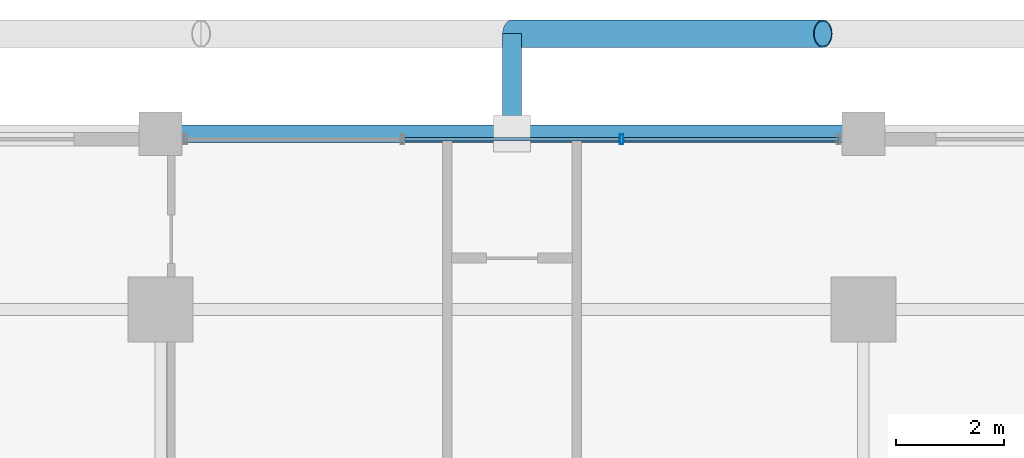
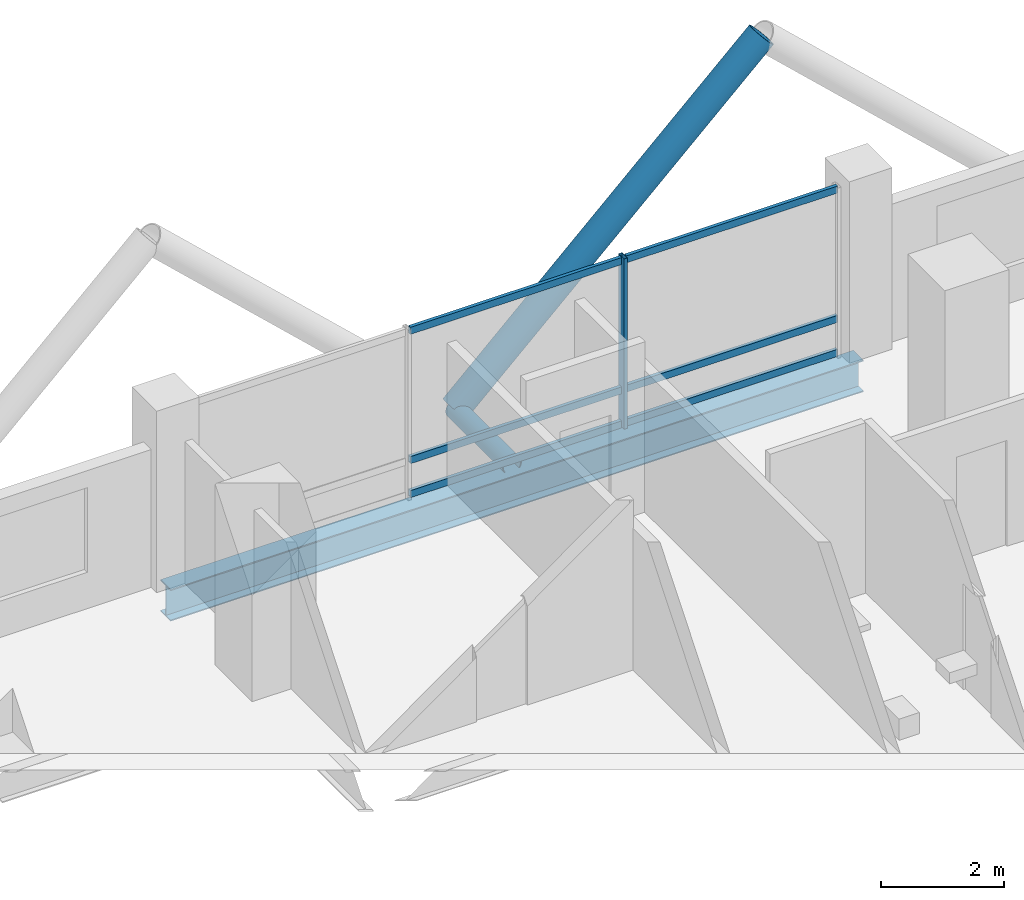
# One storey, part 15 of 25: 9 members, 1 beam, 1 element without a shape of its own.
"""IFC4 building model written with IfcOpenShell, lengths in metres."""

from ifc_helpers import new_model, si_unit, direction, frame, origin, origin_2d, place, context, subcontext, project, spatial, hollow_rectangle, hollow_circle, i_section, extrude, material, layer, layer_set, material_profile, profile_set, type_object, element, aggregate, save


model = new_model("IFC4")

# Units and contexts
model_context = context("Model", 3, precision=1e-05, world=origin(), true_north=direction((0.0, 1.0)))
body_context = subcontext(model_context, "Body", "Model", "MODEL_VIEW")
ifc_project = project(units=[si_unit("LENGTHUNIT", "METRE"), si_unit("AREAUNIT", "SQUARE_METRE"), si_unit("VOLUMEUNIT", "CUBIC_METRE"), si_unit("PLANEANGLEUNIT", "RADIAN"), si_unit("MASSUNIT", "GRAM", prefix="KILO")], contexts=[model_context])

# Site, building, storey
site_placement = place(None, origin())
site = spatial("IfcSite", under=ifc_project, at=site_placement, CompositionType="ELEMENT")
building_placement = place(site_placement, origin())
building = spatial("IfcBuilding", under=site, at=building_placement, Name="Barlavira Tower and Art Museum", CompositionType="ELEMENT")
storey_placement = place(building_placement, frame((0.0, 0.0, 144.0)))
storey = spatial("IfcBuildingStorey", under=building, at=storey_placement, Name="L36", CompositionType="ELEMENT", Elevation=144.0)

# Curtain wall, members
ifc_material_1 = material(Name="Low-iron coastal laminated glass", Category="glass")
ifc_layer = layer(ifc_material_1, 0.18994140625, Name="Low-iron coastal laminated glass")
ifc_layer_set = layer_set([ifc_layer], Name="Low-iron coastal laminated glass")
curtain_wall_type = type_object("IfcCurtainWallType", Name="Pale-Metal Unitised Curtain Wall Zone 2", PredefinedType="NOTDEFINED", material=ifc_layer_set)
curtain_wall_placement = place(storey_placement, origin())
curtain_wall = element("IfcCurtainWall", 1, at=curtain_wall_placement, inside=storey, type_object=curtain_wall_type, Name="L36 Curtain Wall CW2-L36-N-B3", PredefinedType="NOTDEFINED")
ifc_material_2 = material(Name="Pale anodised aluminium", Category="aluminium")
ifc_material_profile_1 = material_profile(ifc_material_2, hollow_rectangle(XDim=0.06494140625, YDim=0.179931640625, WallThickness=0.00390625, at=origin_2d()), Name="ALU-MULL 65x180x4")
ifc_profile_set_1 = profile_set([ifc_material_profile_1], Name="Pale anodised aluminium")
member_type_1 = type_object("IfcMemberType", Name="Curtain Wall Pale-Metal Mullion 65x180", PredefinedType="MULLION", material=ifc_profile_set_1)
member_1_placement = place(storey_placement, frame((2.026611328125, 23.14990234375, 0.0), z_axis=(0.0, 0.0, 1.0), x_axis=(-1.0, 0.0, 0.0)))
member_1 = element("IfcMember", 2, at=member_1_placement, type_object=member_type_1, Name="CW2-L36-N-B3 Mullion 1", PredefinedType="MULLION", context=body_context, shape_type="SweptSolid", body=[
    extrude(hollow_rectangle(XDim=0.06494140625, YDim=0.179931640625, WallThickness=0.00390625, at=origin_2d()), origin(), (0.0, 0.0, 1.0), 3.3798828125),
])
ifc_material_profile_2 = material_profile(ifc_material_2, hollow_rectangle(XDim=0.06494140625, YDim=0.139892578125, WallThickness=0.00390625, at=origin_2d()), Name="ALU-TRAN 65x140x4")
ifc_profile_set_2 = profile_set([ifc_material_profile_2], Name="Pale anodised aluminium")
member_type_2 = type_object("IfcMemberType", Name="Curtain Wall Pale-Metal Transom 65x140", PredefinedType="USERDEFINED", material=ifc_profile_set_2)
member_2_placement = place(storey_placement, frame((6.034912109375, 23.14990234375, 0.070068359375), z_axis=(-1.0, 0.0, 0.0), x_axis=(0.0, -1.0, 0.0)))
member_2 = element("IfcMember", 3, at=member_2_placement, type_object=member_type_2, Name="CW2-L36-N-B3 Transom 0.1", ObjectType="TRANSOM", PredefinedType="USERDEFINED", context=body_context, shape_type="SweptSolid", body=[
    extrude(hollow_rectangle(XDim=0.06494140625, YDim=0.139892578125, WallThickness=0.00390625, at=origin_2d()), origin(), (0.0, 0.0, 1.0), 3.963134765625),
])
member_3_placement = place(storey_placement, frame((6.034912109375, 23.14990234375, 0.743896484375), z_axis=(-1.0, 0.0, 0.0), x_axis=(0.0, -1.0, 0.0)))
member_3 = element("IfcMember", 4, at=member_3_placement, type_object=member_type_2, Name="CW2-L36-N-B3 Transom 0.2", ObjectType="TRANSOM", PredefinedType="USERDEFINED", context=body_context, shape_type="SweptSolid", body=[
    extrude(hollow_rectangle(XDim=0.06494140625, YDim=0.139892578125, WallThickness=0.00390625, at=origin_2d()), origin(), (0.0, 0.0, 1.0), 3.963134765625),
])
member_4_placement = place(storey_placement, frame((6.034912109375, 23.14990234375, 3.31005859375), z_axis=(-1.0, 0.0, 0.0), x_axis=(0.0, -1.0, 0.0)))
member_4 = element("IfcMember", 5, at=member_4_placement, type_object=member_type_2, Name="CW2-L36-N-B3 Transom 0.3", ObjectType="TRANSOM", PredefinedType="USERDEFINED", context=body_context, shape_type="SweptSolid", body=[
    extrude(hollow_rectangle(XDim=0.06494140625, YDim=0.139892578125, WallThickness=0.00390625, at=origin_2d()), origin(), (0.0, 0.0, 1.0), 3.963134765625),
])
member_5_placement = place(storey_placement, frame((1.981689453125, 23.14990234375, 0.070068359375), z_axis=(-1.0, 0.0, 0.0), x_axis=(0.0, -1.0, 0.0)))
member_5 = element("IfcMember", 6, at=member_5_placement, type_object=member_type_2, Name="CW2-L36-N-B3 Transom 1.1", ObjectType="TRANSOM", PredefinedType="USERDEFINED", context=body_context, shape_type="SweptSolid", body=[
    extrude(hollow_rectangle(XDim=0.06494140625, YDim=0.139892578125, WallThickness=0.00390625, at=origin_2d()), origin(), (0.0, 0.0, 1.0), 3.96337890625),
])
member_6_placement = place(storey_placement, frame((1.981689453125, 23.14990234375, 0.743896484375), z_axis=(-1.0, 0.0, 0.0), x_axis=(0.0, -1.0, 0.0)))
member_6 = element("IfcMember", 7, at=member_6_placement, type_object=member_type_2, Name="CW2-L36-N-B3 Transom 1.2", ObjectType="TRANSOM", PredefinedType="USERDEFINED", context=body_context, shape_type="SweptSolid", body=[
    extrude(hollow_rectangle(XDim=0.06494140625, YDim=0.139892578125, WallThickness=0.00390625, at=origin_2d()), origin(), (0.0, 0.0, 1.0), 3.96337890625),
])
member_7_placement = place(storey_placement, frame((1.981689453125, 23.14990234375, 3.31005859375), z_axis=(-1.0, 0.0, 0.0), x_axis=(0.0, -1.0, 0.0)))
member_7 = element("IfcMember", 8, at=member_7_placement, type_object=member_type_2, Name="CW2-L36-N-B3 Transom 1.3", ObjectType="TRANSOM", PredefinedType="USERDEFINED", context=body_context, shape_type="SweptSolid", body=[
    extrude(hollow_rectangle(XDim=0.06494140625, YDim=0.139892578125, WallThickness=0.00390625, at=origin_2d()), origin(), (0.0, 0.0, 1.0), 3.96337890625),
])
aggregate(curtain_wall, [member_1, member_2, member_3, member_4, member_5, member_6, member_7])

# Members
ifc_material_3 = material(Name="Steel S355", Category="steel")
ifc_material_profile_3 = material_profile(ifc_material_3, hollow_circle(Radius=0.25390625, WallThickness=0.022216796875, at=origin_2d()), Name="CHS 508.0x22.2")
ifc_profile_set_3 = profile_set([ifc_material_profile_3], Name="Steel S355")
member_type_3 = type_object("IfcMemberType", Name="Pale-Metal Exoskeleton Diagrid Tube CHS 508x22 Steel S355", PredefinedType="BRACE", material=ifc_profile_set_3)
member_8_placement = place(storey_placement, frame((0.0, 25.10009765625, -0.1201171875), z_axis=(0.728934650808, 0.0, 0.684583285548), x_axis=(0.0, 1.0, 0.0)))
element("IfcMember", 9, at=member_8_placement, inside=storey, type_object=member_type_3, Name="L36 Exoskeleton Diagrid Tube N", PredefinedType="BRACE", context=body_context, shape_type="SweptSolid", body=[
    extrude(hollow_circle(Radius=0.25390625, WallThickness=0.022216796875, at=origin_2d()), origin(), (0.0, 0.0, 1.0), 7.88818359375),
])
ifc_material_profile_4 = material_profile(ifc_material_3, hollow_circle(Radius=0.177734375, WallThickness=0.01611328125, at=origin_2d()), Name="CHS 355.6x16.0")
ifc_profile_set_4 = profile_set([ifc_material_profile_4], Name="Steel S355")
member_type_4 = type_object("IfcMemberType", Name="Pale-Metal Exoskeleton Tie Strut CHS 356x16 Steel S355", PredefinedType="STRUT", material=ifc_profile_set_4)
member_9_placement = place(storey_placement, frame((0.0, 25.10009765625, -0.1201171875), z_axis=(0.0, -1.0, 0.0), x_axis=(1.0, 0.0, 0.0)))
element("IfcMember", 10, at=member_9_placement, inside=storey, type_object=member_type_4, Name="L36 Exoskeleton Tie Strut N2", PredefinedType="STRUT", context=body_context, shape_type="SweptSolid", body=[
    extrude(hollow_circle(Radius=0.177734375, WallThickness=0.01611328125, at=origin_2d()), origin(), (0.0, 0.0, 1.0), 1.85009765625),
])

# Beam
ifc_material_profile_5 = material_profile(ifc_material_3, i_section(OverallWidth=0.327880859375, OverallDepth=0.62890625, WebThickness=0.013916015625, FlangeThickness=0.021484375, at=origin_2d()), Name="W610x174.0")
ifc_profile_set_5 = profile_set([ifc_material_profile_5], Name="Steel S355")
beam_type = type_object("IfcBeamType", Name="Perimeter Spandrel Edge Beam W610x174 Steel S355", PredefinedType="SPANDREL", material=ifc_profile_set_5)
beam_placement = place(storey_placement, frame((-6.5, 23.25, -0.534423828125), z_axis=(1.0, 0.0, 0.0), x_axis=(0.0, 1.0, 0.0)))
element("IfcBeam", 11, at=beam_placement, inside=storey, type_object=beam_type, Name="L36 Spandrel 10", PredefinedType="SPANDREL", context=body_context, shape_type="SweptSolid", body=[
    extrude(i_section(OverallWidth=0.327880859375, OverallDepth=0.62890625, WebThickness=0.013916015625, FlangeThickness=0.021484375, at=origin_2d()), origin(), (0.0, 0.0, 1.0), 13.0),
])

save(model, "model.ifc")
